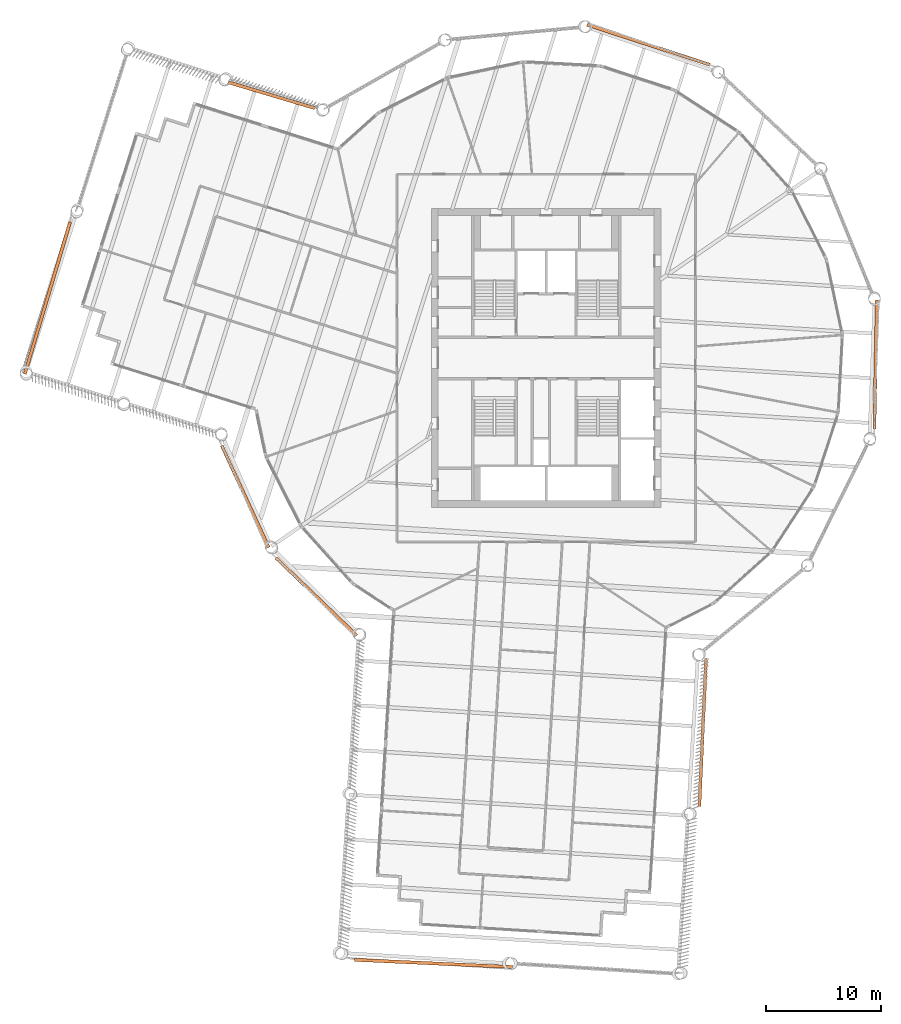
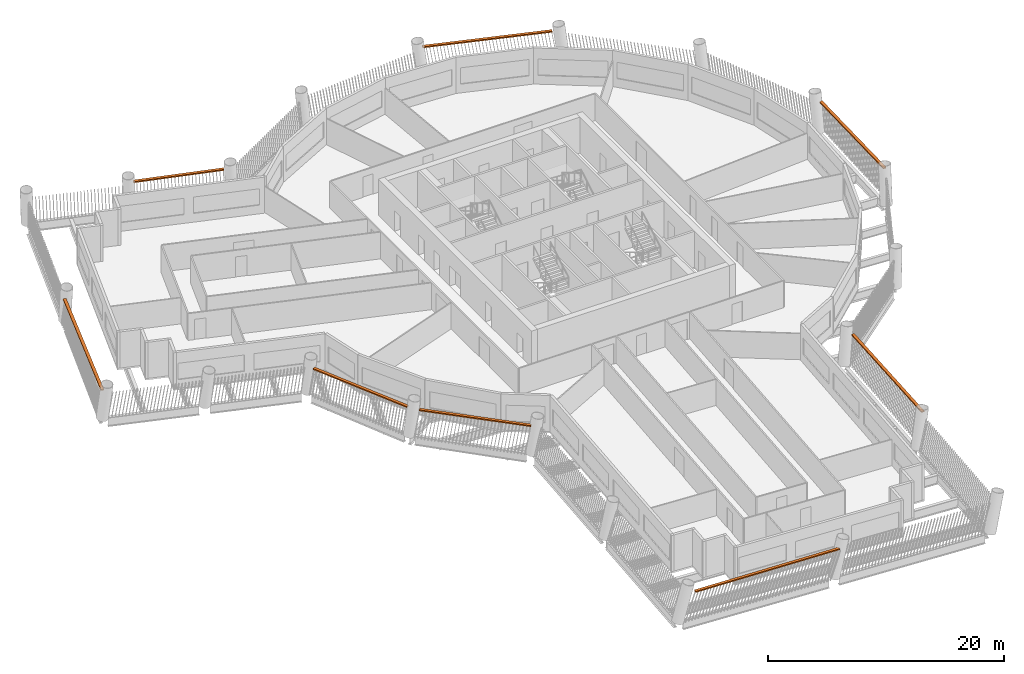
# One storey, part 15 of 15: 8 proxies.
"""IFC4 building model written with IfcOpenShell, lengths in metres."""

from ifc_helpers import new_model, si_unit, direction, frame, origin, origin_2d, place, context, subcontext, project, spatial, rectangle, extrude, material, type_object, element, save


model = new_model("IFC4")

# Units and contexts
model_context = context("Model", 3, precision=1e-05, world=origin(), true_north=direction((0.0, 1.0)))
body_context = subcontext(model_context, "Body", "Model", "MODEL_VIEW")
ifc_project = project(units=[si_unit("LENGTHUNIT", "METRE"), si_unit("AREAUNIT", "SQUARE_METRE"), si_unit("VOLUMEUNIT", "CUBIC_METRE"), si_unit("PLANEANGLEUNIT", "RADIAN"), si_unit("MASSUNIT", "GRAM", prefix="KILO")], contexts=[model_context])

# Site, building, storey
site_placement = place(None, origin())
site = spatial("IfcSite", under=ifc_project, at=site_placement, CompositionType="ELEMENT")
building_placement = place(site_placement, origin())
building = spatial("IfcBuilding", under=site, at=building_placement, Name="Tarsis Ring Headquarters", CompositionType="ELEMENT")
storey_placement = place(building_placement, frame((0.0, 0.0, 212.10009765625)))
storey = spatial("IfcBuildingStorey", under=building, at=storey_placement, Name="L49", CompositionType="ELEMENT", Elevation=212.10009765625)

# Proxies
ifc_material = material(Name="Structural steel S355", Category="steel")
building_element_proxy_type = type_object("IfcBuildingElementProxyType", Name="Screen bracket plate", PredefinedType="USERDEFINED", material=ifc_material)
proxy_1_placement = place(storey_placement, frame((-20.0029296875, -20.775390625, 2.949951171875), z_axis=(0.0, 0.0, 1.0), x_axis=(0.720369324812, -0.693590683235, 0.0)))
element("IfcBuildingElementProxy", 1, at=proxy_1_placement, inside=storey, type_object=building_element_proxy_type, Name="Screen bracket L49-00", ObjectType="Bracket", PredefinedType="USERDEFINED", context=body_context, shape_type="SweptSolid", body=[
    extrude(rectangle(XDim=9.771728515625, YDim=0.280029296875, at=origin_2d()), origin(), (0.0, 0.0, 1.0), 0.1201171875),
])
proxy_2_placement = place(storey_placement, frame((-9.801025390625, -52.70458984375, 2.949951171875), z_axis=(0.0, 0.0, 1.0), x_axis=(0.998970570582, -0.045362970694, 0.0)))
element("IfcBuildingElementProxy", 2, at=proxy_2_placement, inside=storey, type_object=building_element_proxy_type, Name="Screen bracket L49-03", ObjectType="Bracket", PredefinedType="USERDEFINED", context=body_context, shape_type="SweptSolid", body=[
    extrude(rectangle(XDim=13.800048828125, YDim=0.280029296875, at=origin_2d()), origin(), (0.0, 0.0, 1.0), 0.1201171875),
])
proxy_3_placement = place(storey_placement, frame((13.630126953125, -32.598388671875, 2.949951171875), z_axis=(0.0, 0.0, 1.0), x_axis=(0.045362988129, 0.998970569791, 0.0)))
element("IfcBuildingElementProxy", 3, at=proxy_3_placement, inside=storey, type_object=building_element_proxy_type, Name="Screen bracket L49-06", ObjectType="Bracket", PredefinedType="USERDEFINED", context=body_context, shape_type="SweptSolid", body=[
    extrude(rectangle(XDim=12.90234375, YDim=0.280029296875, at=origin_2d()), origin(), (0.0, 0.0, 1.0), 0.1201171875),
])
for number, where, z_axis, x_axis, name in (
    (4, (28.68505859375, -0.5576171875, 2.949951171875), (0.0, 0.0, 1.0), (0.019437188441, 0.999811080007, 0.0), "Screen bracket L49-09"),
    (5, (8.906982421875, 27.27294921875, 2.949951171875), (0.0, 0.0, 1.0), (-0.950590196227, 0.310448512378, 0.0), "Screen bracket L49-12"),
):
    element("IfcBuildingElementProxy", number, at=place(storey_placement, frame(where, z_axis=z_axis, x_axis=x_axis)), inside=storey, type_object=building_element_proxy_type, Name=name, ObjectType="Bracket", PredefinedType="USERDEFINED", context=body_context, shape_type="SweptSolid", body=[
        extrude(rectangle(XDim=11.248779296875, YDim=0.280029296875, at=origin_2d()), origin(), (0.0, 0.0, 1.0), 0.1201171875),
    ])
proxy_4_placement = place(storey_placement, frame((-23.906982421875, 22.87841796875, 2.949951171875), z_axis=(0.0, 0.0, 1.0), x_axis=(-0.958322604382, 0.28568826705, 0.0)))
element("IfcBuildingElementProxy", 6, at=proxy_4_placement, inside=storey, type_object=building_element_proxy_type, Name="Screen bracket L49-15", ObjectType="Bracket", PredefinedType="USERDEFINED", context=body_context, shape_type="SweptSolid", body=[
    extrude(rectangle(XDim=7.90234375, YDim=0.280029296875, at=origin_2d()), origin(), (0.0, 0.0, 1.0), 0.1201171875),
])
proxy_5_placement = place(storey_placement, frame((-43.4130859375, 5.22021484375, 2.949951171875), z_axis=(0.0, 0.0, 1.0), x_axis=(-0.285688384131, -0.958322569479, 0.0)))
element("IfcBuildingElementProxy", 7, at=proxy_5_placement, inside=storey, type_object=building_element_proxy_type, Name="Screen bracket L49-18", ObjectType="Bracket", PredefinedType="USERDEFINED", context=body_context, shape_type="SweptSolid", body=[
    extrude(rectangle(XDim=13.800048828125, YDim=0.280029296875, at=origin_2d()), origin(), (0.0, 0.0, 1.0), 0.1201171875),
])
proxy_6_placement = place(storey_placement, frame((-26.197998046875, -12.05810546875, 2.949951171875), z_axis=(0.0, 0.0, 1.0), x_axis=(0.418105207599, -0.908398610401, 0.0)))
element("IfcBuildingElementProxy", 8, at=proxy_6_placement, inside=storey, type_object=building_element_proxy_type, Name="Screen bracket L49-21", ObjectType="Bracket", PredefinedType="USERDEFINED", context=body_context, shape_type="SweptSolid", body=[
    extrude(rectangle(XDim=9.771728515625, YDim=0.280029296875, at=origin_2d()), origin(), (0.0, 0.0, 1.0), 0.1201171875),
])

save(model, "model.ifc")
